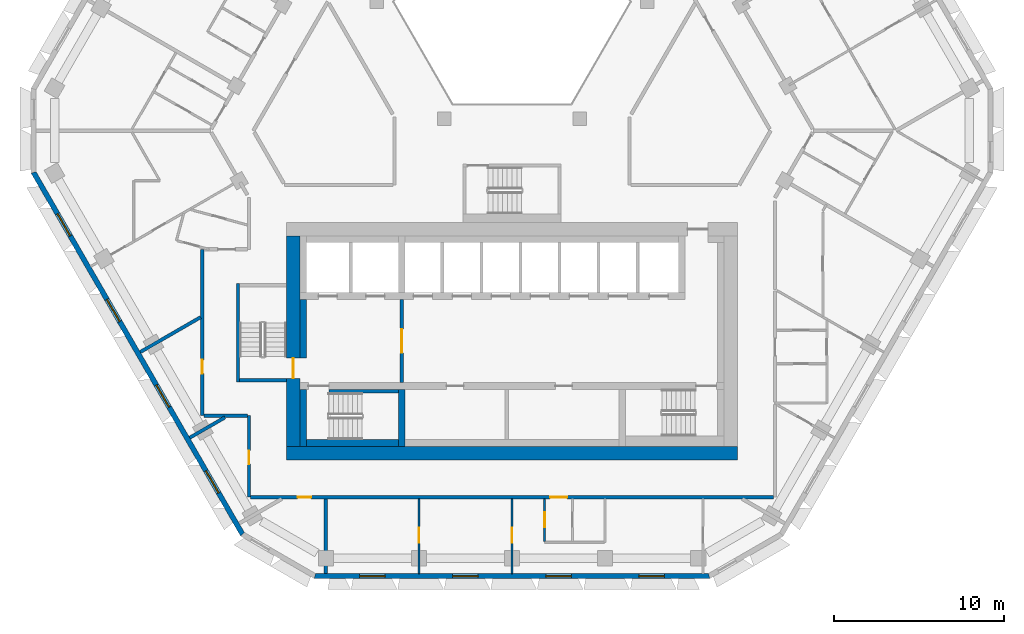
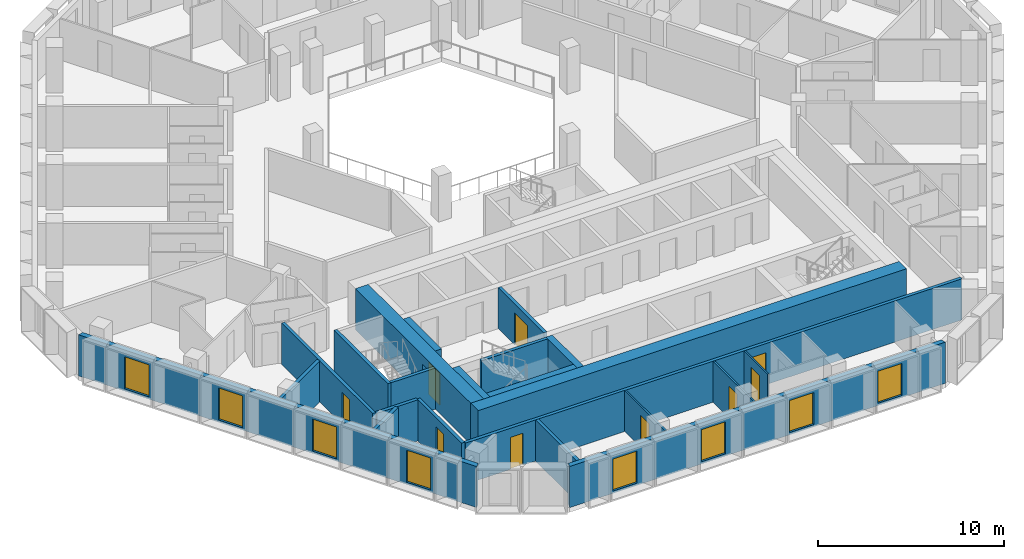
# One storey, part 3 of 15: 22 walls, 9 doors, 8 windows, 17 openings.
"""IFC4 building model written with IfcOpenShell, lengths in metres."""

import ifcopenshell
import ifcopenshell.guid

model = None  # the IFC model being written
_history = None  # IfcOwnerHistory: only IFC2X3 demands one
_inside = {}  # id of a spatial element -> (the spatial element, [elements in it])
_under = {}  # id of a project, library or spatial element -> (it, [spatial elements below it])
_declared = {}  # id of a project -> (the project, [libraries it declares])
_typed = {}  # id of a type object -> (the type object, [elements of that type])
_made_of = {}  # id of a material, layer set ... -> (it, [elements and type objects made of it])


def new_model(schema):
    """Start an empty IFC model of exactly this schema.

    Asked for "IFC4X3", IfcOpenShell would pick the latest addendum, in which some entities
    have other attributes; the version numbers below select the first issue.
    IFC2X3 requires an IfcOwnerHistory on every rooted entity: one is made here for all.
    """
    global model, _history
    if schema == "IFC4X3":
        model = ifcopenshell.file(schema_version=(4, 3, 0, 0))
    else:
        model = ifcopenshell.file(schema=schema)
    _inside.clear()
    _under.clear()
    _declared.clear()
    _typed.clear()
    _made_of.clear()
    _history = None
    if model.schema == "IFC2X3":
        org = make("IfcOrganization", Name="unknown")
        user = make(
            "IfcPersonAndOrganization",
            ThePerson=make("IfcPerson", FamilyName="unknown"),
            TheOrganization=org,
        )
        app = make(
            "IfcApplication",
            ApplicationDeveloper=org,
            Version="unknown",
            ApplicationFullName="unknown",
            ApplicationIdentifier="unknown",
        )
        _history = make(
            "IfcOwnerHistory",
            OwningUser=user,
            OwningApplication=app,
            ChangeAction="ADDED",
            CreationDate=0,
        )
    return model


def make(cls, **values):
    """One entity of the class cls with the attributes given. An attribute that is None is left unset."""
    return model.create_entity(
        cls, **{name: value for name, value in values.items() if value is not None}
    )


def rooted(cls, **values):
    """An entity with a GlobalId (a new one), such as an element, a storey or a relation."""
    return make(cls, GlobalId=ifcopenshell.guid.new(), OwnerHistory=_history, **values)


def si_unit(unit_type, name, prefix=None):
    """IfcSIUnit, for example si_unit("LENGTHUNIT", "METRE", prefix="MILLI")."""
    return make("IfcSIUnit", UnitType=unit_type, Prefix=prefix, Name=name)


def assignment(units):
    """IfcUnitAssignment: the units of a project."""
    return None if units is None else make("IfcUnitAssignment", Units=units)


def point(xyz):
    """IfcCartesianPoint."""
    return None if xyz is None else make("IfcCartesianPoint", Coordinates=xyz)


def direction(xyz):
    """IfcDirection."""
    return None if xyz is None else make("IfcDirection", DirectionRatios=xyz)


def frame(location, z_axis=None, x_axis=None):
    """IfcAxis2Placement3D, a coordinate frame: its origin and axes. An axis left out is left unset."""
    return make(
        "IfcAxis2Placement3D",
        Location=point(location),
        Axis=direction(z_axis),
        RefDirection=direction(x_axis),
    )


def frame_2d(location, x_axis=None):
    """IfcAxis2Placement2D, a coordinate frame in the plane: its origin and x axis."""
    return make(
        "IfcAxis2Placement2D", Location=point(location), RefDirection=direction(x_axis)
    )


def origin():
    """The frame at (0, 0, 0) with its axes left unset."""
    return frame((0.0, 0.0, 0.0))


def place(relative_to, where):
    """IfcLocalPlacement: puts the frame where relative to a parent placement (None: the world)."""
    return make(
        "IfcLocalPlacement", PlacementRelTo=relative_to, RelativePlacement=where
    )


def context(
    kind, dimensions, precision=None, world=None, true_north=None, identifier=None
):
    """IfcGeometricRepresentationContext, for example the 3D "Model" context."""
    return make(
        "IfcGeometricRepresentationContext",
        ContextIdentifier=identifier,
        ContextType=kind,
        CoordinateSpaceDimension=dimensions,
        Precision=precision,
        WorldCoordinateSystem=world,
        TrueNorth=true_north,
    )


def subcontext(parent, identifier, kind, view, scale=None):
    """IfcGeometricRepresentationSubContext, for example "Body" below "Model"."""
    return make(
        "IfcGeometricRepresentationSubContext",
        ContextIdentifier=identifier,
        ContextType=kind,
        ParentContext=parent,
        TargetScale=scale,
        TargetView=view,
    )


def project(units=None, contexts=None):
    """IfcProject with its units and contexts."""
    return rooted(
        "IfcProject",
        Name="project",
        RepresentationContexts=contexts,
        UnitsInContext=assignment(units),
    )


def spatial(cls, under=None, at=None, **own):
    """A site, building, storey or space (cls), placed at a placement, below another one or the project."""
    s = rooted(cls, ObjectPlacement=at, **own)
    if under is not None:
        _under.setdefault(under.id(), (under, []))[1].append(s)
    return s


def polyline(points):
    """IfcPolyline through the points."""
    return make("IfcPolyline", Points=[point(p) for p in points])


def profile(cls, at=None, kind="AREA", **sizes):
    """A parametric profile (cls). Its sizes go by their IFC names, for example OverallWidth=200.0."""
    return make(cls, ProfileType=kind, Position=at, **sizes)


def rectangle(**sizes):
    """IfcRectangleProfileDef."""
    return profile("IfcRectangleProfileDef", **sizes)


def outline(outer, holes=None, kind="AREA"):
    """IfcArbitraryClosedProfileDef: a profile drawn as a closed curve; with holes, ...WithVoids."""
    if holes is None:
        return make("IfcArbitraryClosedProfileDef", ProfileType=kind, OuterCurve=outer)
    return make(
        "IfcArbitraryProfileDefWithVoids",
        ProfileType=kind,
        OuterCurve=outer,
        InnerCurves=holes,
    )


def extrude(swept, where, along, depth):
    """IfcExtrudedAreaSolid: the profile swept, set in the frame where, extruded along a direction by depth."""
    return make(
        "IfcExtrudedAreaSolid",
        SweptArea=swept,
        Position=where,
        ExtrudedDirection=direction(along),
        Depth=depth,
    )


def shape(context_of_items, identifier, shape_type, items):
    """IfcShapeRepresentation: the items that make up one representation, for example the "Body"."""
    return make(
        "IfcShapeRepresentation",
        ContextOfItems=context_of_items,
        RepresentationIdentifier=identifier,
        RepresentationType=shape_type,
        Items=items,
    )


def material(Name=None, Category=None):
    """IfcMaterial."""
    return make("IfcMaterial", Name=Name, Category=Category)


def layer(
    of_material, thickness, ventilated=None, Name=None, Category=None, Priority=None
):
    """IfcMaterialLayer: one layer of a wall or slab, of a material (None: an air gap)."""
    return make(
        "IfcMaterialLayer",
        Material=of_material,
        LayerThickness=thickness,
        IsVentilated=ventilated,
        Name=Name,
        Category=Category,
        Priority=Priority,
    )


def layer_set(layers, Name=None):
    """IfcMaterialLayerSet."""
    return make("IfcMaterialLayerSet", MaterialLayers=layers, LayerSetName=Name)


def made_of(thing, what):
    """Note that an element or type object is made of a material, layer set ...; save() writes the relation."""
    if what is not None:
        _made_of.setdefault(what.id(), (what, []))[1].append(thing)
    return thing


def type_object(cls, material=None, **own):
    """A type object (cls), such as IfcWallType, which elements share."""
    return made_of(rooted(cls, **own), material)


def element(
    cls,
    number,
    at=None,
    inside=None,
    cuts=None,
    type_object=None,
    material=None,
    context=None,
    identifier="Body",
    shape_type=None,
    held_by="IfcProductDefinitionShape",
    body=None,
    shapes=None,
    **own,
):
    """One element of the class cls, such as IfcWall. Its Tag is "e" and its number.

    at: its placement. inside: the storey or other place that contains it. cuts: it is an
    opening in that element (IfcRelVoidsElement). A single representation is given by context,
    identifier, shape_type and body (its items); several are given by shapes. held_by: the class
    of the entity that holds the representations. save() writes the other relations.
    """
    e = rooted(cls, Tag="e%d" % number, ObjectPlacement=at, **own)
    if body is not None:
        shapes = [shape(context, identifier, shape_type, body)]
    if shapes is not None:
        e.Representation = make(held_by, Representations=shapes)
    if inside is not None:
        _inside.setdefault(inside.id(), (inside, []))[1].append(e)
    if cuts is not None:
        rooted(
            "IfcRelVoidsElement", RelatingBuildingElement=cuts, RelatedOpeningElement=e
        )
    if type_object is not None:
        _typed.setdefault(type_object.id(), (type_object, []))[1].append(e)
    return made_of(e, material)


def fill(opening, filler):
    """IfcRelFillsElement: the door or window that sits in an opening."""
    return rooted(
        "IfcRelFillsElement",
        RelatingOpeningElement=opening,
        RelatedBuildingElement=filler,
    )


def aggregate(whole, parts):
    """IfcRelAggregates: a whole, such as a stair, and the parts it consists of."""
    return rooted("IfcRelAggregates", RelatingObject=whole, RelatedObjects=parts)


def save(model, path):
    """Write the relations noted so far, then the file.

    IfcRelAggregates (storeys below a building ...), IfcRelContainedInSpatialStructure (elements
    in a storey), IfcRelDefinesByType, IfcRelAssociatesMaterial and IfcRelDeclares: one each for
    every whole, place, type object, material and project.
    """
    for whole, parts in _under.values():
        aggregate(whole, parts)
    for where, things in _inside.values():
        rooted(
            "IfcRelContainedInSpatialStructure",
            RelatedElements=things,
            RelatingStructure=where,
        )
    for kind, things in _typed.values():
        rooted("IfcRelDefinesByType", RelatedObjects=things, RelatingType=kind)
    for what, things in _made_of.values():
        rooted("IfcRelAssociatesMaterial", RelatedObjects=things, RelatingMaterial=what)
    for by, libraries in _declared.values():
        rooted("IfcRelDeclares", RelatingContext=by, RelatedDefinitions=libraries)
    model.write(path)


model = new_model("IFC4")

# Units and contexts
model_context = context("Model", 3, precision=1e-05, world=origin(), true_north=direction((0.0, 1.0)))
body_context = subcontext(model_context, "Body", "Model", "MODEL_VIEW")
ifc_project = project(units=[si_unit("LENGTHUNIT", "METRE"), si_unit("AREAUNIT", "SQUARE_METRE"), si_unit("VOLUMEUNIT", "CUBIC_METRE"), si_unit("PLANEANGLEUNIT", "RADIAN"), si_unit("MASSUNIT", "GRAM", prefix="KILO")], contexts=[model_context])

# Site, building, storey
site_placement = place(None, origin())
site = spatial("IfcSite", under=ifc_project, at=site_placement, CompositionType="ELEMENT")
building_placement = place(site_placement, origin())
building = spatial("IfcBuilding", under=site, at=building_placement, Name="Beryl Residences", CompositionType="ELEMENT")
storey_placement = place(building_placement, frame((0.0, 0.0, 147.60009765625)))
storey = spatial("IfcBuildingStorey", under=building, at=storey_placement, Name="L45", CompositionType="ELEMENT", Elevation=147.60009765625)

# Wall, openings, windows
ifc_material_1 = material(Name="Composite metal panel with mineral wool insulation")
ifc_layer_1 = layer(ifc_material_1, 0.300048828125)
ifc_layer_set_1 = layer_set([ifc_layer_1], Name="ES1 pale metal composite panel wall 300 mm")
wall_type_1 = type_object("IfcWallType", Name="ES1 pale metal composite panel wall 300 mm", PredefinedType="SOLIDWALL", material=ifc_layer_set_1)
wall_1_placement = place(storey_placement, frame((-28.218017578125, -2.02490234375, 0.0), z_axis=(0.0, 0.0, 1.0), x_axis=(0.500017503135, -0.866015298109, 0.0)))
wall_1 = element("IfcWall", 1, at=wall_1_placement, inside=storey, type_object=wall_type_1, Name="ES1 external wall L45 SW", PredefinedType="SOLIDWALL", context=body_context, shape_type="SweptSolid", body=[
    extrude(outline(polyline([(0.0, -0.14990234375), (24.7109375, -0.14990234375), (24.630615234375, 0.14990234375), (0.080322265625, 0.14990234375), (0.0, -0.14990234375)])), origin(), (0.0, 0.0, 1.0), 2.699951171875),
])
opening_1_placement = place(wall_1_placement, frame((2.85693359375, 0.0, 0.14990234375)))
opening_1 = element("IfcOpeningElement", 2, at=opening_1_placement, cuts=wall_1, Name="Opening W1", PredefinedType="OPENING", context=body_context, shape_type="SweptSolid", body=[
    extrude(rectangle(XDim=1.5, YDim=2.10009765625, at=frame_2d((0.75, 1.050048828125))), frame((0.0, 0.159912109375, 0.0), z_axis=(0.0, -1.0, 0.0), x_axis=(1.0, 0.0, 0.0)), (0.0, 0.0, 1.0), 0.320068359375),
])
opening_2_placement = place(wall_1_placement, frame((8.68896484375, 0.0, 0.14990234375)))
opening_2 = element("IfcOpeningElement", 3, at=opening_2_placement, cuts=wall_1, Name="Opening W1", PredefinedType="OPENING", context=body_context, shape_type="SweptSolid", body=[
    extrude(rectangle(XDim=1.5, YDim=2.10009765625, at=frame_2d((0.75, 1.050048828125))), frame((0.0, 0.159912109375, 0.0), z_axis=(0.0, -1.0, 0.0), x_axis=(1.0, 0.0, 0.0)), (0.0, 0.0, 1.0), 0.320068359375),
])
opening_3_placement = place(wall_1_placement, frame((14.52001953125, 0.0, 0.14990234375)))
opening_3 = element("IfcOpeningElement", 4, at=opening_3_placement, cuts=wall_1, Name="Opening W1", PredefinedType="OPENING", context=body_context, shape_type="SweptSolid", body=[
    extrude(rectangle(XDim=1.5, YDim=2.10009765625, at=frame_2d((0.75, 1.050048828125))), frame((0.0, 0.159912109375, 0.0), z_axis=(0.0, -1.0, 0.0), x_axis=(1.0, 0.0, 0.0)), (0.0, 0.0, 1.0), 0.320068359375),
])
opening_4_placement = place(wall_1_placement, frame((20.35107421875, 0.0, 0.14990234375)))
opening_4 = element("IfcOpeningElement", 5, at=opening_4_placement, cuts=wall_1, Name="Opening W1", PredefinedType="OPENING", context=body_context, shape_type="SweptSolid", body=[
    extrude(rectangle(XDim=1.5, YDim=2.10009765625, at=frame_2d((0.75, 1.050048828125))), frame((0.0, 0.159912109375, 0.0), z_axis=(0.0, -1.0, 0.0), x_axis=(1.0, 0.0, 0.0)), (0.0, 0.0, 1.0), 0.320068359375),
])
ifc_material_2 = material(Name="Aluminium and clear glass", Category="aluminium")
window_type = type_object("IfcWindowType", Name="W1 cell window 1500 x 2100 mm", PartitioningType="SINGLE_PANEL", PredefinedType="WINDOW", material=ifc_material_2)
window_1_placement = place(opening_1_placement, origin())
window_1 = element("IfcWindow", 6, at=window_1_placement, inside=storey, type_object=window_type, Name="W1 window L45 SW 2", OverallHeight=2.10009765625, OverallWidth=1.5, PartitioningType="SINGLE_PANEL", PredefinedType="WINDOW", context=body_context, shape_type="SweptSolid", body=[
    extrude(rectangle(XDim=1.5, YDim=2.10009765625, at=frame_2d((0.75, 1.050048828125))), frame((0.0, 0.030029296875, 0.0), z_axis=(0.0, -1.0, 0.0), x_axis=(1.0, 0.0, 0.0)), (0.0, 0.0, 1.0), 0.06005859375),
])
fill(opening_1, window_1)
window_2_placement = place(opening_2_placement, origin())
window_2 = element("IfcWindow", 7, at=window_2_placement, inside=storey, type_object=window_type, Name="W1 window L45 SW 4", OverallHeight=2.10009765625, OverallWidth=1.5, PartitioningType="SINGLE_PANEL", PredefinedType="WINDOW", context=body_context, shape_type="SweptSolid", body=[
    extrude(rectangle(XDim=1.5, YDim=2.10009765625, at=frame_2d((0.75, 1.050048828125))), frame((0.0, 0.030029296875, 0.0), z_axis=(0.0, -1.0, 0.0), x_axis=(1.0, 0.0, 0.0)), (0.0, 0.0, 1.0), 0.06005859375),
])
fill(opening_2, window_2)
window_3_placement = place(opening_3_placement, origin())
window_3 = element("IfcWindow", 8, at=window_3_placement, inside=storey, type_object=window_type, Name="W1 window L45 SW 6", OverallHeight=2.10009765625, OverallWidth=1.5, PartitioningType="SINGLE_PANEL", PredefinedType="WINDOW", context=body_context, shape_type="SweptSolid", body=[
    extrude(rectangle(XDim=1.5, YDim=2.10009765625, at=frame_2d((0.75, 1.050048828125))), frame((0.0, 0.030029296875, 0.0), z_axis=(0.0, -1.0, 0.0), x_axis=(1.0, 0.0, 0.0)), (0.0, 0.0, 1.0), 0.06005859375),
])
fill(opening_3, window_3)
window_4_placement = place(opening_4_placement, origin())
window_4 = element("IfcWindow", 9, at=window_4_placement, inside=storey, type_object=window_type, Name="W1 window L45 SW 8", OverallHeight=2.10009765625, OverallWidth=1.5, PartitioningType="SINGLE_PANEL", PredefinedType="WINDOW", context=body_context, shape_type="SweptSolid", body=[
    extrude(rectangle(XDim=1.5, YDim=2.10009765625, at=frame_2d((0.75, 1.050048828125))), frame((0.0, 0.030029296875, 0.0), z_axis=(0.0, -1.0, 0.0), x_axis=(1.0, 0.0, 0.0)), (0.0, 0.0, 1.0), 0.06005859375),
])
fill(opening_4, window_4)

wall_2_placement = place(storey_placement, frame((-11.662109375, -25.85009765625, 0.0), z_axis=(0.0, 0.0, 1.0), x_axis=(1.0, 0.0, 0.0)))
wall_2 = element("IfcWall", 10, at=wall_2_placement, inside=storey, type_object=wall_type_1, Name="ES1 external wall L45 S", PredefinedType="SOLIDWALL", context=body_context, shape_type="SweptSolid", body=[
    extrude(outline(polyline([(0.0, -0.14990234375), (23.32421875, -0.14990234375), (23.243896484375, 0.14990234375), (0.080322265625, 0.14990234375), (0.0, -0.14990234375)])), origin(), (0.0, 0.0, 1.0), 2.699951171875),
])
opening_5_placement = place(wall_2_placement, frame((2.68603515625, 0.0, 0.14990234375)))
opening_5 = element("IfcOpeningElement", 11, at=opening_5_placement, cuts=wall_2, Name="Opening W1", PredefinedType="OPENING", context=body_context, shape_type="SweptSolid", body=[
    extrude(rectangle(XDim=1.5, YDim=2.10009765625, at=frame_2d((0.75, 1.050048828125))), frame((0.0, 0.159912109375, 0.0), z_axis=(0.0, -1.0, 0.0), x_axis=(1.0, 0.0, 0.0)), (0.0, 0.0, 1.0), 0.320068359375),
])
opening_6_placement = place(wall_2_placement, frame((8.169921875, 0.0, 0.14990234375)))
opening_6 = element("IfcOpeningElement", 12, at=opening_6_placement, cuts=wall_2, Name="Opening W1", PredefinedType="OPENING", context=body_context, shape_type="SweptSolid", body=[
    extrude(rectangle(XDim=1.5, YDim=2.10009765625, at=frame_2d((0.75, 1.050048828125))), frame((0.0, 0.159912109375, 0.0), z_axis=(0.0, -1.0, 0.0), x_axis=(1.0, 0.0, 0.0)), (0.0, 0.0, 1.0), 0.320068359375),
])
opening_7_placement = place(wall_2_placement, frame((13.656005859375, 0.0, 0.14990234375)))
opening_7 = element("IfcOpeningElement", 13, at=opening_7_placement, cuts=wall_2, Name="Opening W1", PredefinedType="OPENING", context=body_context, shape_type="SweptSolid", body=[
    extrude(rectangle(XDim=1.5, YDim=2.10009765625, at=frame_2d((0.75, 1.050048828125))), frame((0.0, 0.159912109375, 0.0), z_axis=(0.0, -1.0, 0.0), x_axis=(1.0, 0.0, 0.0)), (0.0, 0.0, 1.0), 0.320068359375),
])
opening_8_placement = place(wall_2_placement, frame((19.14111328125, 0.0, 0.14990234375)))
opening_8 = element("IfcOpeningElement", 14, at=opening_8_placement, cuts=wall_2, Name="Opening W1", PredefinedType="OPENING", context=body_context, shape_type="SweptSolid", body=[
    extrude(rectangle(XDim=1.5, YDim=2.10009765625, at=frame_2d((0.75, 1.050048828125))), frame((0.0, 0.159912109375, 0.0), z_axis=(0.0, -1.0, 0.0), x_axis=(1.0, 0.0, 0.0)), (0.0, 0.0, 1.0), 0.320068359375),
])
window_5_placement = place(opening_5_placement, origin())
window_5 = element("IfcWindow", 15, at=window_5_placement, inside=storey, type_object=window_type, Name="W1 window L45 S 2", OverallHeight=2.10009765625, OverallWidth=1.5, PartitioningType="SINGLE_PANEL", PredefinedType="WINDOW", context=body_context, shape_type="SweptSolid", body=[
    extrude(rectangle(XDim=1.5, YDim=2.10009765625, at=frame_2d((0.75, 1.050048828125))), frame((0.0, 0.030029296875, 0.0), z_axis=(0.0, -1.0, 0.0), x_axis=(1.0, 0.0, 0.0)), (0.0, 0.0, 1.0), 0.06005859375),
])
fill(opening_5, window_5)
window_6_placement = place(opening_6_placement, origin())
window_6 = element("IfcWindow", 16, at=window_6_placement, inside=storey, type_object=window_type, Name="W1 window L45 S 4", OverallHeight=2.10009765625, OverallWidth=1.5, PartitioningType="SINGLE_PANEL", PredefinedType="WINDOW", context=body_context, shape_type="SweptSolid", body=[
    extrude(rectangle(XDim=1.5, YDim=2.10009765625, at=frame_2d((0.75, 1.050048828125))), frame((0.0, 0.030029296875, 0.0), z_axis=(0.0, -1.0, 0.0), x_axis=(1.0, 0.0, 0.0)), (0.0, 0.0, 1.0), 0.06005859375),
])
fill(opening_6, window_6)
window_7_placement = place(opening_7_placement, origin())
window_7 = element("IfcWindow", 17, at=window_7_placement, inside=storey, type_object=window_type, Name="W1 window L45 S 6", OverallHeight=2.10009765625, OverallWidth=1.5, PartitioningType="SINGLE_PANEL", PredefinedType="WINDOW", context=body_context, shape_type="SweptSolid", body=[
    extrude(rectangle(XDim=1.5, YDim=2.10009765625, at=frame_2d((0.75, 1.050048828125))), frame((0.0, 0.030029296875, 0.0), z_axis=(0.0, -1.0, 0.0), x_axis=(1.0, 0.0, 0.0)), (0.0, 0.0, 1.0), 0.06005859375),
])
fill(opening_7, window_7)
window_8_placement = place(opening_8_placement, origin())
window_8 = element("IfcWindow", 18, at=window_8_placement, inside=storey, type_object=window_type, Name="W1 window L45 S 8", OverallHeight=2.10009765625, OverallWidth=1.5, PartitioningType="SINGLE_PANEL", PredefinedType="WINDOW", context=body_context, shape_type="SweptSolid", body=[
    extrude(rectangle(XDim=1.5, YDim=2.10009765625, at=frame_2d((0.75, 1.050048828125))), frame((0.0, 0.030029296875, 0.0), z_axis=(0.0, -1.0, 0.0), x_axis=(1.0, 0.0, 0.0)), (0.0, 0.0, 1.0), 0.06005859375),
])
fill(opening_8, window_8)

# Wall, opening, door
ifc_material_3 = material(Name="Gypsum board partition on steel studs", Category="steel")
ifc_layer_2 = layer(ifc_material_3, 0.10009765625)
ifc_layer_set_2 = layer_set([ifc_layer_2], Name="PT1 partition 100 mm gypsum board on steel studs")
wall_type_2 = type_object("IfcWallType", Name="PT1 partition 100 mm gypsum board on steel studs", PredefinedType="PARTITIONING", material=ifc_layer_set_2)
wall_3_placement = place(storey_placement, frame((1.9208984375, -21.300048828125, 0.0), z_axis=(0.0, 0.0, 1.0), x_axis=(0.0, -1.0, 0.0)))
wall_3 = element("IfcWall", 19, at=wall_3_placement, inside=storey, type_object=wall_type_2, Name="Wall PT1 L45 006", PredefinedType="PARTITIONING", context=body_context, shape_type="SweptSolid", body=[
    extrude(rectangle(XDim=2.509033203125, YDim=0.10009765625, at=frame_2d((1.25439453125, 0.0))), origin(), (0.0, 0.0, 1.0), 2.699951171875),
])
opening_9_placement = place(wall_3_placement, frame((0.780029296875, 0.0, 0.0)))
opening_9 = element("IfcOpeningElement", 20, at=opening_9_placement, cuts=wall_3, Name="Opening D1302", PredefinedType="OPENING", context=body_context, shape_type="SweptSolid", body=[
    extrude(rectangle(XDim=0.89990234375, YDim=2.10009765625, at=frame_2d((0.449951171875, 1.050048828125))), frame((0.0, 0.06005859375, 0.0), z_axis=(0.0, -1.0, 0.0), x_axis=(1.0, 0.0, 0.0)), (0.0, 0.0, 1.0), 0.1201171875),
])
ifc_material_4 = material(Name="Timber door leaf", Category="wood")
door_type_1 = type_object("IfcDoorType", Name="D2 room door 900 x 2100 mm", OperationType="SINGLE_SWING_LEFT", PredefinedType="DOOR", material=ifc_material_4)
door_1_placement = place(opening_9_placement, origin())
door_1 = element("IfcDoor", 21, at=door_1_placement, inside=storey, type_object=door_type_1, Name="Door D1302 L45 001", OperationType="SINGLE_SWING_RIGHT", OverallHeight=2.10009765625, OverallWidth=0.89990234375, PredefinedType="DOOR", context=body_context, shape_type="SweptSolid", body=[
    extrude(rectangle(XDim=0.89990234375, YDim=2.10009765625, at=frame_2d((0.449951171875, 1.050048828125))), frame((0.0, 0.02490234375, 0.0), z_axis=(0.0, -1.0, 0.0), x_axis=(1.0, 0.0, 0.0)), (0.0, 0.0, 1.0), 0.050048828125),
])
fill(opening_9, door_1)

wall_4_placement = place(storey_placement, frame((0.0009765625, -25.699951171875, 0.0), z_axis=(0.0, 0.0, 1.0), x_axis=(0.0, 1.0, 0.0)))
wall_4 = element("IfcWall", 22, at=wall_4_placement, inside=storey, type_object=wall_type_2, Name="Wall PT1 L45 042", PredefinedType="PARTITIONING", context=body_context, shape_type="SweptSolid", body=[
    extrude(rectangle(XDim=4.39990234375, YDim=0.10009765625, at=frame_2d((2.199951171875, 0.0))), origin(), (0.0, 0.0, 1.0), 2.699951171875),
])
opening_10_placement = place(wall_4_placement, frame((1.800048828125, 0.0, 0.0)))
opening_10 = element("IfcOpeningElement", 23, at=opening_10_placement, cuts=wall_4, Name="Opening D1305", PredefinedType="OPENING", context=body_context, shape_type="SweptSolid", body=[
    extrude(rectangle(XDim=0.89990234375, YDim=2.10009765625, at=frame_2d((0.449951171875, 1.050048828125))), frame((0.0, 0.06005859375, 0.0), z_axis=(0.0, -1.0, 0.0), x_axis=(1.0, 0.0, 0.0)), (0.0, 0.0, 1.0), 0.1201171875),
])
door_2_placement = place(opening_10_placement, origin())
door_2 = element("IfcDoor", 24, at=door_2_placement, inside=storey, type_object=door_type_1, Name="Door D1305 L45 001", OperationType="SINGLE_SWING_LEFT", OverallHeight=2.10009765625, OverallWidth=0.89990234375, PredefinedType="DOOR", context=body_context, shape_type="SweptSolid", body=[
    extrude(rectangle(XDim=0.89990234375, YDim=2.10009765625, at=frame_2d((0.449951171875, 1.050048828125))), frame((0.0, 0.02490234375, 0.0), z_axis=(0.0, -1.0, 0.0), x_axis=(1.0, 0.0, 0.0)), (0.0, 0.0, 1.0), 0.050048828125),
])
fill(opening_10, door_2)

wall_5_placement = place(storey_placement, frame((-5.48388671875, -25.699951171875, 0.0), z_axis=(0.0, 0.0, 1.0), x_axis=(0.0, 1.0, 0.0)))
wall_5 = element("IfcWall", 25, at=wall_5_placement, inside=storey, type_object=wall_type_2, Name="Wall PT1 L45 044", PredefinedType="PARTITIONING", context=body_context, shape_type="SweptSolid", body=[
    extrude(rectangle(XDim=4.39990234375, YDim=0.10009765625, at=frame_2d((2.199951171875, 0.0))), origin(), (0.0, 0.0, 1.0), 2.699951171875),
])
opening_11_placement = place(wall_5_placement, frame((1.800048828125, 0.0, 0.0)))
opening_11 = element("IfcOpeningElement", 26, at=opening_11_placement, cuts=wall_5, Name="Opening D1306", PredefinedType="OPENING", context=body_context, shape_type="SweptSolid", body=[
    extrude(rectangle(XDim=0.89990234375, YDim=2.10009765625, at=frame_2d((0.449951171875, 1.050048828125))), frame((0.0, 0.06005859375, 0.0), z_axis=(0.0, -1.0, 0.0), x_axis=(1.0, 0.0, 0.0)), (0.0, 0.0, 1.0), 0.1201171875),
])
door_3_placement = place(opening_11_placement, origin())
door_3 = element("IfcDoor", 27, at=door_3_placement, inside=storey, type_object=door_type_1, Name="Door D1306 L45 001", OperationType="SINGLE_SWING_RIGHT", OverallHeight=2.10009765625, OverallWidth=0.89990234375, PredefinedType="DOOR", context=body_context, shape_type="SweptSolid", body=[
    extrude(rectangle(XDim=0.89990234375, YDim=2.10009765625, at=frame_2d((0.449951171875, 1.050048828125))), frame((0.0, 0.02490234375, 0.0), z_axis=(0.0, -1.0, 0.0), x_axis=(1.0, 0.0, 0.0)), (0.0, 0.0, 1.0), 0.050048828125),
])
fill(opening_11, door_3)

ifc_material_5 = material(Name="Concrete masonry", Category="masonry")
ifc_layer_3 = layer(ifc_material_5, 0.199951171875)
ifc_layer_set_3 = layer_set([ifc_layer_3], Name="PT13 lobby wall 200 mm")
wall_type_3 = type_object("IfcWallType", Name="PT13 lobby wall 200 mm", PredefinedType="PARTITIONING", material=ifc_layer_set_3)
wall_6_placement = place(storey_placement, frame((-6.5, -14.449951171875, 0.0), z_axis=(0.0, 0.0, 1.0), x_axis=(0.0, 1.0, 0.0)))
wall_6 = element("IfcWall", 28, at=wall_6_placement, inside=storey, type_object=wall_type_3, Name="Lobby wall 11", PredefinedType="PARTITIONING", context=body_context, shape_type="SweptSolid", body=[
    extrude(rectangle(XDim=4.89990234375, YDim=0.199951171875, at=frame_2d((2.449951171875, 0.0))), origin(), (0.0, 0.0, 1.0), 2.699951171875),
])
opening_12_placement = place(wall_6_placement, frame((3.14990234375, 0.0, 0.0), z_axis=(0.0, 0.0, 1.0), x_axis=(-1.0, 0.0, 0.0)))
opening_12 = element("IfcOpeningElement", 29, at=opening_12_placement, cuts=wall_6, Name="Opening FD-FFL", PredefinedType="OPENING", context=body_context, shape_type="SweptSolid", body=[
    extrude(rectangle(XDim=1.39990234375, YDim=2.10009765625, at=frame_2d((0.699951171875, 1.050048828125))), frame((0.0, 0.10986328125, 0.0), z_axis=(0.0, -1.0, 0.0), x_axis=(1.0, 0.0, 0.0)), (0.0, 0.0, 1.0), 0.219970703125),
])
ifc_material_6 = material(Name="Steel door leaf in steel frame", Category="steel")
door_type_2 = type_object("IfcDoorType", Name="D5 lobby door 1400 x 2100 mm", OperationType="DOUBLE_DOOR_SINGLE_SWING", PredefinedType="DOOR", material=ifc_material_6)
door_4_placement = place(opening_12_placement, origin())
door_4 = element("IfcDoor", 30, at=door_4_placement, inside=storey, type_object=door_type_2, Name="Door FD-FFL L45 001", OperationType="DOUBLE_DOOR_SINGLE_SWING", OverallHeight=2.10009765625, OverallWidth=1.39990234375, PredefinedType="DOOR", context=body_context, shape_type="SweptSolid", body=[
    extrude(rectangle(XDim=1.39990234375, YDim=2.10009765625, at=frame_2d((0.699951171875, 1.050048828125))), frame((0.0, 0.02490234375, 0.0), z_axis=(0.0, -1.0, 0.0), x_axis=(1.0, 0.0, 0.0)), (0.0, 0.0, 1.0), 0.050048828125),
])
fill(opening_12, door_4)

# Walls
ifc_material_7 = material(Name="Concrete masonry", Category="masonry")
ifc_layer_4 = layer(ifc_material_7, 0.39990234375)
ifc_layer_set_4 = layer_set([ifc_layer_4], Name="PT13-400 lobby wall 400 mm")
wall_type_4 = type_object("IfcWallType", Name="PT13-400 lobby wall 400 mm", PredefinedType="PARTITIONING", material=ifc_layer_set_4)
wall_7_placement = place(storey_placement, frame((-12.300048828125, -13.0, 0.0), z_axis=(0.0, 0.0, 1.0), x_axis=(0.0, 1.0, 0.0)))
element("IfcWall", 31, at=wall_7_placement, inside=storey, type_object=wall_type_4, Name="Lobby wall 05", PredefinedType="PARTITIONING", context=body_context, shape_type="SweptSolid", body=[
    extrude(rectangle(XDim=3.449951171875, YDim=0.39990234375, at=frame_2d((1.72509765625, 0.0))), origin(), (0.0, 0.0, 1.0), 2.699951171875),
])
ifc_material_8 = material(Name="Acoustic double stud gypsum board wall")
ifc_layer_5 = layer(ifc_material_8, 0.199951171875)
ifc_layer_set_5 = layer_set([ifc_layer_5], Name="PT3 party wall 200 mm acoustic double stud")
wall_type_5 = type_object("IfcWallType", Name="PT3 party wall 200 mm acoustic double stud", PredefinedType="PARTITIONING", material=ifc_layer_set_5)
wall_8_placement = place(storey_placement, frame((-10.968994140625, -25.699951171875, 0.0), z_axis=(0.0, 0.0, 1.0), x_axis=(0.0, 1.0, 0.0)))
element("IfcWall", 32, at=wall_8_placement, inside=storey, type_object=wall_type_5, Name="Wall PT3 L45 009", PredefinedType="PARTITIONING", context=body_context, shape_type="SweptSolid", body=[
    extrude(rectangle(XDim=4.39990234375, YDim=0.199951171875, at=frame_2d((2.199951171875, 0.0))), origin(), (0.0, 0.0, 1.0), 2.699951171875),
])
wall_9_placement = place(storey_placement, frame((-18.9951171875, -17.698974609375, 0.0), z_axis=(0.0, 0.0, 1.0), x_axis=(0.86607371389, 0.499916315105, 0.0)))
element("IfcWall", 33, at=wall_9_placement, inside=storey, type_object=wall_type_5, Name="Wall PT3 L45 010", PredefinedType="PARTITIONING", context=body_context, shape_type="SweptSolid", body=[
    extrude(rectangle(XDim=2.3984375, YDim=0.199951171875, at=frame_2d((1.19921875, 0.0))), origin(), (0.0, 0.0, 1.0), 2.699951171875),
])
wall_10_placement = place(storey_placement, frame((-21.910888671875, -12.64892578125, 0.0), z_axis=(0.0, 0.0, 1.0), x_axis=(0.866016499285, 0.500015422728, 0.0)))
element("IfcWall", 34, at=wall_10_placement, inside=storey, type_object=wall_type_5, Name="Wall PT3 L45 013", PredefinedType="PARTITIONING", context=body_context, shape_type="SweptSolid", body=[
    extrude(rectangle(XDim=4.111572265625, YDim=0.199951171875, at=frame_2d((2.0556640625, 0.0))), origin(), (0.0, 0.0, 1.0), 2.699951171875),
])
ifc_material_9 = material(Name="Double stud gypsum board wall")
ifc_layer_6 = layer(ifc_material_9, 0.199951171875)
ifc_layer_set_6 = layer_set([ifc_layer_6], Name="PT4 corridor wall 200 mm double stud")
wall_type_6 = type_object("IfcWallType", Name="PT4 corridor wall 200 mm double stud", PredefinedType="PARTITIONING", material=ifc_layer_set_6)
wall_11_placement = place(storey_placement, frame((-18.14990234375, -16.39990234375, 0.0), z_axis=(0.0, 0.0, 1.0), x_axis=(1.0, 0.0, 0.0)))
element("IfcWall", 35, at=wall_11_placement, inside=storey, type_object=wall_type_6, Name="Wall PT4 L45 010", PredefinedType="PARTITIONING", context=body_context, shape_type="SweptSolid", body=[
    extrude(rectangle(XDim=2.5498046875, YDim=0.199951171875, at=frame_2d((1.27490234375, 0.0))), origin(), (0.0, 0.0, 1.0), 2.699951171875),
])

# Wall, openings, doors
wall_12_placement = place(storey_placement, frame((-15.39990234375, -21.199951171875, 0.0), z_axis=(0.0, 0.0, 1.0), x_axis=(1.0, 0.0, 0.0)))
wall_12 = element("IfcWall", 36, at=wall_12_placement, inside=storey, type_object=wall_type_6, Name="Wall PT4 L45 011", PredefinedType="PARTITIONING", context=body_context, shape_type="SweptSolid", body=[
    extrude(rectangle(XDim=30.798828125, YDim=0.199951171875, at=frame_2d((15.3994140625, 0.0))), origin(), (0.0, 0.0, 1.0), 2.699951171875),
])
opening_13_placement = place(wall_12_placement, frame((17.64306640625, 0.0, 0.0)))
opening_13 = element("IfcOpeningElement", 37, at=opening_13_placement, cuts=wall_12, Name="Opening D1301", PredefinedType="OPENING", context=body_context, shape_type="SweptSolid", body=[
    extrude(rectangle(XDim=1.0, YDim=2.10009765625, at=frame_2d((0.5, 1.050048828125))), frame((0.0, 0.10986328125, 0.0), z_axis=(0.0, -1.0, 0.0), x_axis=(1.0, 0.0, 0.0)), (0.0, 0.0, 1.0), 0.219970703125),
])
opening_14_placement = place(wall_12_placement, frame((2.764892578125, 0.0, 0.0)))
opening_14 = element("IfcOpeningElement", 38, at=opening_14_placement, cuts=wall_12, Name="Opening D1355", PredefinedType="OPENING", context=body_context, shape_type="SweptSolid", body=[
    extrude(rectangle(XDim=0.800048828125, YDim=2.10009765625, at=frame_2d((0.39990234375, 1.050048828125))), frame((0.0, 0.10986328125, 0.0), z_axis=(0.0, -1.0, 0.0), x_axis=(1.0, 0.0, 0.0)), (0.0, 0.0, 1.0), 0.219970703125),
])
ifc_material_10 = material(Name="Timber door leaf", Category="wood")
door_type_3 = type_object("IfcDoorType", Name="D1 flat entrance door 1000 x 2100 mm", OperationType="SINGLE_SWING_LEFT", PredefinedType="DOOR", material=ifc_material_10)
door_5_placement = place(opening_13_placement, origin())
door_5 = element("IfcDoor", 39, at=door_5_placement, inside=storey, type_object=door_type_3, Name="Door D1301 L45 001", OperationType="SINGLE_SWING_LEFT", OverallHeight=2.10009765625, OverallWidth=1.0, PredefinedType="DOOR", context=body_context, shape_type="SweptSolid", body=[
    extrude(rectangle(XDim=1.0, YDim=2.10009765625, at=frame_2d((0.5, 1.050048828125))), frame((0.0, 0.02490234375, 0.0), z_axis=(0.0, -1.0, 0.0), x_axis=(1.0, 0.0, 0.0)), (0.0, 0.0, 1.0), 0.050048828125),
])
fill(opening_13, door_5)
ifc_material_11 = material(Name="Timber door leaf", Category="wood")
door_type_4 = type_object("IfcDoorType", Name="D3 bathroom door 800 x 2100 mm", OperationType="SINGLE_SWING_LEFT", PredefinedType="DOOR", material=ifc_material_11)
door_6_placement = place(opening_14_placement, origin())
door_6 = element("IfcDoor", 40, at=door_6_placement, inside=storey, type_object=door_type_4, Name="Door D1355 L45 001", OperationType="SINGLE_SWING_LEFT", OverallHeight=2.10009765625, OverallWidth=0.800048828125, PredefinedType="DOOR", context=body_context, shape_type="SweptSolid", body=[
    extrude(rectangle(XDim=0.800048828125, YDim=2.10009765625, at=frame_2d((0.39990234375, 1.050048828125))), frame((0.0, 0.02490234375, 0.0), z_axis=(0.0, -1.0, 0.0), x_axis=(1.0, 0.0, 0.0)), (0.0, 0.0, 1.0), 0.050048828125),
])
fill(opening_14, door_6)

# Wall, opening, door
wall_13_placement = place(storey_placement, frame((-15.5, -21.199951171875, 0.0), z_axis=(0.0, 0.0, 1.0), x_axis=(0.0, 1.0, 0.0)))
wall_13 = element("IfcWall", 41, at=wall_13_placement, inside=storey, type_object=wall_type_6, Name="Wall PT4 L45 027", PredefinedType="PARTITIONING", context=body_context, shape_type="SweptSolid", body=[
    extrude(rectangle(XDim=4.800048828125, YDim=0.199951171875, at=frame_2d((2.39990234375, 0.0))), origin(), (0.0, 0.0, 1.0), 2.699951171875),
])
opening_15_placement = place(wall_13_placement, frame((1.93994140625, 0.0, 0.0)))
opening_15 = element("IfcOpeningElement", 42, at=opening_15_placement, cuts=wall_13, Name="Opening D1354", PredefinedType="OPENING", context=body_context, shape_type="SweptSolid", body=[
    extrude(rectangle(XDim=0.800048828125, YDim=2.10009765625, at=frame_2d((0.39990234375, 1.050048828125))), frame((0.0, 0.10986328125, 0.0), z_axis=(0.0, -1.0, 0.0), x_axis=(1.0, 0.0, 0.0)), (0.0, 0.0, 1.0), 0.219970703125),
])
door_7_placement = place(opening_15_placement, origin())
door_7 = element("IfcDoor", 43, at=door_7_placement, inside=storey, type_object=door_type_4, Name="Door D1354 L45 001", OperationType="SINGLE_SWING_RIGHT", OverallHeight=2.10009765625, OverallWidth=0.800048828125, PredefinedType="DOOR", context=body_context, shape_type="SweptSolid", body=[
    extrude(rectangle(XDim=0.800048828125, YDim=2.10009765625, at=frame_2d((0.39990234375, 1.050048828125))), frame((0.0, 0.02490234375, 0.0), z_axis=(0.0, -1.0, 0.0), x_axis=(1.0, 0.0, 0.0)), (0.0, 0.0, 1.0), 0.050048828125),
])
fill(opening_15, door_7)

wall_14_placement = place(storey_placement, frame((-18.25, -16.39990234375, 0.0), z_axis=(0.0, 0.0, 1.0), x_axis=(0.0, 1.0, 0.0)))
wall_14 = element("IfcWall", 44, at=wall_14_placement, inside=storey, type_object=wall_type_6, Name="Wall PT4 L45 029", PredefinedType="PARTITIONING", context=body_context, shape_type="SweptSolid", body=[
    extrude(rectangle(XDim=9.798828125, YDim=0.199951171875, at=frame_2d((4.8994140625, 0.0))), origin(), (0.0, 0.0, 1.0), 2.699951171875),
])
opening_16_placement = place(wall_14_placement, frame((2.485107421875, 0.0, 0.0)))
opening_16 = element("IfcOpeningElement", 45, at=opening_16_placement, cuts=wall_14, Name="Opening D1353", PredefinedType="OPENING", context=body_context, shape_type="SweptSolid", body=[
    extrude(rectangle(XDim=0.800048828125, YDim=2.10009765625, at=frame_2d((0.39990234375, 1.050048828125))), frame((0.0, 0.10986328125, 0.0), z_axis=(0.0, -1.0, 0.0), x_axis=(1.0, 0.0, 0.0)), (0.0, 0.0, 1.0), 0.219970703125),
])
door_8_placement = place(opening_16_placement, origin())
door_8 = element("IfcDoor", 46, at=door_8_placement, inside=storey, type_object=door_type_4, Name="Door D1353 L45 001", OperationType="SINGLE_SWING_LEFT", OverallHeight=2.10009765625, OverallWidth=0.800048828125, PredefinedType="DOOR", context=body_context, shape_type="SweptSolid", body=[
    extrude(rectangle(XDim=0.800048828125, YDim=2.10009765625, at=frame_2d((0.39990234375, 1.050048828125))), frame((0.0, 0.02490234375, 0.0), z_axis=(0.0, -1.0, 0.0), x_axis=(1.0, 0.0, 0.0)), (0.0, 0.0, 1.0), 0.050048828125),
])
fill(opening_16, door_8)

# Walls
ifc_material_12 = material(Name="Concrete C40/50", Category="concrete")
ifc_layer_7 = layer(ifc_material_12, 0.199951171875)
ifc_layer_set_7 = layer_set([ifc_layer_7], Name="PT5 stair enclosure wall 200 mm reinforced concrete C40/50")
wall_type_7 = type_object("IfcWallType", Name="PT5 stair enclosure wall 200 mm reinforced concrete C40/50", PredefinedType="SOLIDWALL", material=ifc_layer_set_7)
wall_15_placement = place(storey_placement, frame((-16.14990234375, -14.39990234375, 0.0), z_axis=(0.0, 0.0, 1.0), x_axis=(0.0, 1.0, 0.0)))
element("IfcWall", 47, at=wall_15_placement, inside=storey, type_object=wall_type_7, Name="Stair wall 01", PredefinedType="SOLIDWALL", context=body_context, shape_type="SweptSolid", body=[
    extrude(rectangle(XDim=5.7998046875, YDim=0.199951171875, at=frame_2d((2.89990234375, 0.0))), origin(), (0.0, 0.0, 1.0), 2.699951171875),
])
wall_16_placement = place(storey_placement, frame((-16.050048828125, -14.300048828125, 0.0), z_axis=(0.0, 0.0, 1.0), x_axis=(1.0, 0.0, 0.0)))
element("IfcWall", 48, at=wall_16_placement, inside=storey, type_object=wall_type_7, Name="Stair wall 02", PredefinedType="SOLIDWALL", context=body_context, shape_type="SweptSolid", body=[
    extrude(rectangle(XDim=2.75, YDim=0.199951171875, at=frame_2d((1.375, 0.0))), origin(), (0.0, 0.0, 1.0), 2.699951171875),
])
wall_17_placement = place(storey_placement, frame((-10.800048828125, -14.949951171875, 0.0), z_axis=(0.0, 0.0, 1.0), x_axis=(1.0, 0.0, 0.0)))
element("IfcWall", 49, at=wall_17_placement, inside=storey, type_object=wall_type_7, Name="Stair wall 09", PredefinedType="SOLIDWALL", context=body_context, shape_type="SweptSolid", body=[
    extrude(rectangle(XDim=4.10009765625, YDim=0.199951171875, at=frame_2d((2.050048828125, 0.0))), origin(), (0.0, 0.0, 1.0), 2.699951171875),
])
ifc_material_13 = material(Name="Concrete C40/50", Category="concrete")
ifc_layer_8 = layer(ifc_material_13, 0.39990234375)
ifc_layer_set_8 = layer_set([ifc_layer_8], Name="PT5-400 stair enclosure wall 400 mm")
wall_type_8 = type_object("IfcWallType", Name="PT5-400 stair enclosure wall 400 mm", PredefinedType="SOLIDWALL", material=ifc_layer_set_8)
wall_18_placement = place(storey_placement, frame((-12.300048828125, -18.199951171875, 0.0), z_axis=(0.0, 0.0, 1.0), x_axis=(0.0, 1.0, 0.0)))
element("IfcWall", 50, at=wall_18_placement, inside=storey, type_object=wall_type_8, Name="Stair wall 04", PredefinedType="SOLIDWALL", context=body_context, shape_type="SweptSolid", body=[
    extrude(rectangle(XDim=3.349853515625, YDim=0.39990234375, at=frame_2d((1.6748046875, 0.0))), origin(), (0.0, 0.0, 1.0), 2.699951171875),
])
wall_19_placement = place(storey_placement, frame((-12.10009765625, -18.0, 0.0), z_axis=(0.0, 0.0, 1.0), x_axis=(1.0, 0.0, 0.0)))
element("IfcWall", 51, at=wall_19_placement, inside=storey, type_object=wall_type_8, Name="Stair wall 07", PredefinedType="SOLIDWALL", context=body_context, shape_type="SweptSolid", body=[
    extrude(rectangle(XDim=5.400146484375, YDim=0.39990234375, at=frame_2d((2.7001953125, 0.0))), origin(), (0.0, 0.0, 1.0), 2.699951171875),
])
ifc_material_14 = material(Name="Concrete C60/75", Category="concrete")
ifc_layer_9 = layer(ifc_material_14, 0.800048828125)
ifc_layer_set_9 = layer_set([ifc_layer_9], Name="SW3 core outer wall 800 mm C60/75")
wall_type_9 = type_object("IfcWallType", Name="SW3 core outer wall 800 mm C60/75", PredefinedType="SHEAR", material=ifc_layer_set_9)
wall_20_placement = place(storey_placement, frame((-13.300048828125, -18.60009765625, 0.0), z_axis=(0.0, 0.0, 1.0), x_axis=(1.0, 0.0, 0.0)))
element("IfcWall", 52, at=wall_20_placement, inside=storey, type_object=wall_type_9, Name="Core wall S L45", PredefinedType="SHEAR", context=body_context, shape_type="SweptSolid", body=[
    extrude(rectangle(XDim=26.60009765625, YDim=0.800048828125, at=frame_2d((13.300048828125, 0.0))), origin(), (0.0, 0.0, 1.0), 2.699951171875),
])

# Wall, opening, door
wall_21_placement = place(storey_placement, frame((-12.89990234375, -18.199951171875, 0.0), z_axis=(0.0, 0.0, 1.0), x_axis=(0.0, 1.0, 0.0)))
wall_21 = element("IfcWall", 53, at=wall_21_placement, inside=storey, type_object=wall_type_9, Name="Core wall W L45", PredefinedType="SHEAR", context=body_context, shape_type="SweptSolid", body=[
    extrude(rectangle(XDim=12.39990234375, YDim=0.800048828125, at=frame_2d((6.199951171875, 0.0))), origin(), (0.0, 0.0, 1.0), 2.699951171875),
])
opening_17_placement = place(wall_21_placement, frame((4.0, 0.0, 0.0)))
opening_17 = element("IfcOpeningElement", 54, at=opening_17_placement, cuts=wall_21, Name="Opening SD-2", PredefinedType="OPENING", context=body_context, shape_type="SweptSolid", body=[
    extrude(rectangle(XDim=1.199951171875, YDim=2.10009765625, at=frame_2d((0.60009765625, 1.050048828125))), frame((0.0, 0.409912109375, 0.0), z_axis=(0.0, -1.0, 0.0), x_axis=(1.0, 0.0, 0.0)), (0.0, 0.0, 1.0), 0.820068359375),
])
ifc_material_15 = material(Name="Steel door leaf in steel frame", Category="steel")
door_type_5 = type_object("IfcDoorType", Name="D4 stair door 1200 x 2100 mm", OperationType="SINGLE_SWING_LEFT", PredefinedType="DOOR", material=ifc_material_15)
door_9_placement = place(opening_17_placement, origin())
door_9 = element("IfcDoor", 55, at=door_9_placement, inside=storey, type_object=door_type_5, Name="Door SD-2 L45 001", OperationType="SINGLE_SWING_RIGHT", OverallHeight=2.10009765625, OverallWidth=1.199951171875, PredefinedType="DOOR", context=body_context, shape_type="SweptSolid", body=[
    extrude(rectangle(XDim=1.199951171875, YDim=2.10009765625, at=frame_2d((0.60009765625, 1.050048828125))), frame((0.0, 0.02490234375, 0.0), z_axis=(0.0, -1.0, 0.0), x_axis=(1.0, 0.0, 0.0)), (0.0, 0.0, 1.0), 0.050048828125),
])
fill(opening_17, door_9)

# Wall
ifc_material_16 = material(Name="Concrete C60/75", Category="concrete")
ifc_layer_10 = layer(ifc_material_16, 0.39990234375)
ifc_layer_set_10 = layer_set([ifc_layer_10], Name="SW8 core internal wall 400 mm C60/75")
wall_type_10 = type_object("IfcWallType", Name="SW8 core internal wall 400 mm C60/75", PredefinedType="SHEAR", material=ifc_layer_set_10)
wall_22_placement = place(storey_placement, frame((-6.5, -18.199951171875, 0.0), z_axis=(0.0, 0.0, 1.0), x_axis=(0.0, 1.0, 0.0)))
element("IfcWall", 56, at=wall_22_placement, inside=storey, type_object=wall_type_10, Name="Core wall XS1 L45", PredefinedType="SHEAR", context=body_context, shape_type="SweptSolid", body=[
    extrude(rectangle(XDim=3.349853515625, YDim=0.39990234375, at=frame_2d((1.6748046875, 0.0))), origin(), (0.0, 0.0, 1.0), 2.699951171875),
])

save(model, "model.ifc")
